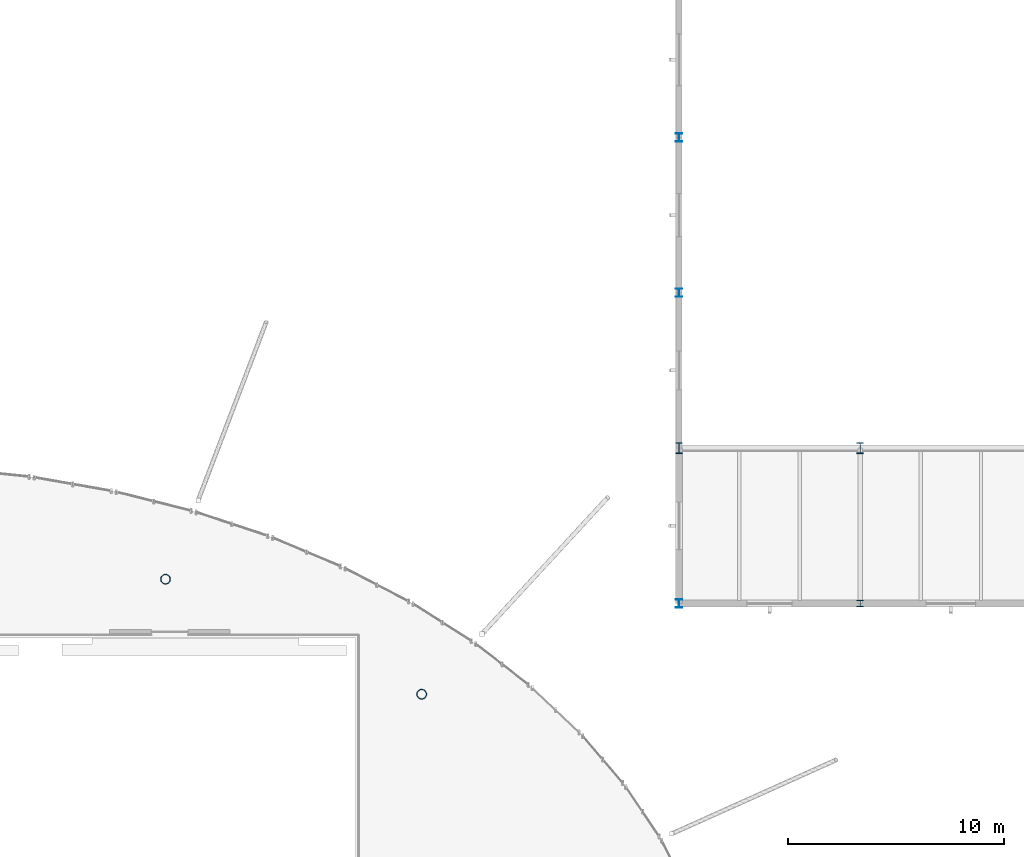
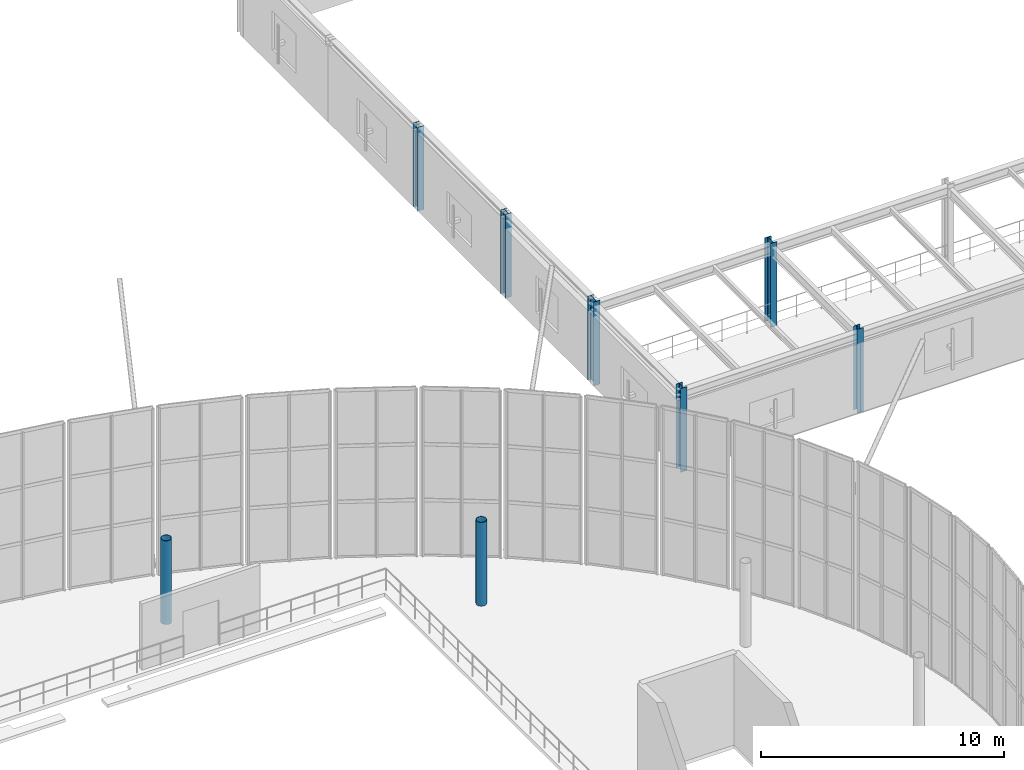
# One storey, part 12 of 109: 8 columns.
"""IFC4 building model written with IfcOpenShell, lengths in metres."""

from ifc_helpers import new_model, si_unit, derived_unit, direction, frame, origin, origin_2d, place, context, subcontext, project, spatial, hollow_circle, i_section, extrude, material, material_profile, profile_set, type_object, element, save


model = new_model("IFC4")

# Units and contexts
model_context = context("Model", 3, precision=1e-05, world=origin(), true_north=direction((0.0, 1.0)))
body_context = subcontext(model_context, "Body", "Model", "MODEL_VIEW")
ifc_project = project(units=[si_unit("LENGTHUNIT", "METRE"), si_unit("AREAUNIT", "SQUARE_METRE"), si_unit("VOLUMEUNIT", "CUBIC_METRE"), si_unit("PLANEANGLEUNIT", "RADIAN"), si_unit("MASSUNIT", "GRAM", prefix="KILO"), derived_unit("THERMALTRANSMITTANCEUNIT", [(si_unit("MASSUNIT", "GRAM", prefix="KILO"), 1), (si_unit("TIMEUNIT", "SECOND"), -3), (si_unit("THERMODYNAMICTEMPERATUREUNIT", "KELVIN"), -1)])], contexts=[model_context])

# Site, building, storey
site_placement = place(None, origin())
site = spatial("IfcSite", under=ifc_project, at=site_placement, CompositionType="ELEMENT")
building_placement = place(site_placement, origin())
building = spatial("IfcBuilding", under=site, at=building_placement, Name="Kharveza Railside Sports Centre", CompositionType="ELEMENT")
storey_placement = place(building_placement, frame((0.0, 0.0, 4.5)))
storey = spatial("IfcBuildingStorey", under=building, at=storey_placement, Name="L01", CompositionType="ELEMENT", Elevation=4.5)

# Columns
ifc_material = material(Name="Steel S355J2", Category="steel")
ifc_material_profile_1 = material_profile(ifc_material, i_section(OverallWidth=0.300048828125, OverallDepth=0.5, WebThickness=0.014404296875, FlangeThickness=0.028076171875, FilletRadius=0.027099609375, at=origin_2d()), Name="HEB 500")
ifc_profile_set_1 = profile_set([ifc_material_profile_1], Name="Steel S355J2")
column_type_1 = type_object("IfcColumnType", Name="COL-S03", PredefinedType="COLUMN", material=ifc_profile_set_1)
for number, where, z_axis, x_axis, name in (
    (1, (92.39990234375, 79.199951171875, 0.0), (0.0, 0.0, 1.0), (1.0, 0.0, 0.0), "COL-G-C03-X924-Y792-L01"),
    (2, (100.800048828125, 79.199951171875, 0.0), (0.0, 0.0, 1.0), (1.0, 0.0, 0.0), "COL-G-C03-X1008-Y792-L01"),
):
    element("IfcColumn", number, at=place(storey_placement, frame(where, z_axis=z_axis, x_axis=x_axis)), inside=storey, type_object=column_type_1, Name=name, PredefinedType="COLUMN", context=body_context, shape_type="SweptSolid", body=[
        extrude(i_section(OverallWidth=0.300048828125, OverallDepth=0.5, WebThickness=0.014404296875, FlangeThickness=0.028076171875, FilletRadius=0.027099609375, at=origin_2d()), origin(), (0.0, 0.0, 1.0), 4.199951171875),
    ])
ifc_material_profile_2 = material_profile(ifc_material, i_section(OverallWidth=0.300048828125, OverallDepth=0.300048828125, WebThickness=0.010986328125, FlangeThickness=0.01904296875, FilletRadius=0.027099609375, at=origin_2d()), Name="HEB 300")
ifc_profile_set_2 = profile_set([ifc_material_profile_2], Name="Steel S355J2")
column_type_2 = type_object("IfcColumnType", Name="COL-S07", PredefinedType="COLUMN", material=ifc_profile_set_2)
column_placement = place(storey_placement, frame((100.800048828125, 72.0, 0.0), z_axis=(0.0, 0.0, 1.0), x_axis=(1.0, 0.0, 0.0)))
element("IfcColumn", 3, at=column_placement, inside=storey, type_object=column_type_2, Name="COL-G-C07-X1008-Y720-L01", PredefinedType="COLUMN", context=body_context, shape_type="SweptSolid", body=[
    extrude(i_section(OverallWidth=0.300048828125, OverallDepth=0.300048828125, WebThickness=0.010986328125, FlangeThickness=0.01904296875, FilletRadius=0.027099609375, at=origin_2d()), origin(), (0.0, 0.0, 1.0), 4.199951171875),
])
ifc_material_profile_3 = material_profile(ifc_material, i_section(OverallWidth=0.300048828125, OverallDepth=0.389892578125, WebThickness=0.010986328125, FlangeThickness=0.01904296875, FilletRadius=0.027099609375, at=origin_2d()), Name="HEA 400")
ifc_profile_set_3 = profile_set([ifc_material_profile_3], Name="Steel S355J2")
column_type_3 = type_object("IfcColumnType", Name="COL-S10", PredefinedType="COLUMN", material=ifc_profile_set_3)
for number, where, z_axis, x_axis, name in (
    (4, (92.39990234375, 72.0, 0.0), (0.0, 0.0, 1.0), (1.0, 0.0, 0.0), "COL-G-C10-X924-Y720-L01"),
    (5, (92.39990234375, 86.39990234375, 0.0), (0.0, 0.0, 1.0), (1.0, 0.0, 0.0), "COL-G-C10-X924-Y864-L01"),
    (6, (92.39990234375, 93.60009765625, 0.0), (0.0, 0.0, 1.0), (1.0, 0.0, 0.0), "COL-G-C10-X924-Y936-L01"),
):
    element("IfcColumn", number, at=place(storey_placement, frame(where, z_axis=z_axis, x_axis=x_axis)), inside=storey, type_object=column_type_3, Name=name, PredefinedType="COLUMN", context=body_context, shape_type="SweptSolid", body=[
        extrude(i_section(OverallWidth=0.300048828125, OverallDepth=0.389892578125, WebThickness=0.010986328125, FlangeThickness=0.01904296875, FilletRadius=0.027099609375, at=origin_2d()), origin(), (0.0, 0.0, 1.0), 4.199951171875),
    ])
ifc_material_profile_4 = material_profile(ifc_material, hollow_circle(Radius=0.228515625, WallThickness=0.02001953125, at=origin_2d()), Name="CHS 457.0x20.0")
ifc_profile_set_4 = profile_set([ifc_material_profile_4], Name="Steel S355J2")
column_type_4 = type_object("IfcColumnType", Name="COL-T01", PredefinedType="COLUMN", material=ifc_profile_set_4)
for number, where, z_axis, x_axis, name in (
    (7, (80.47998046875, 67.794921875, 0.0), (0.0, 0.0, 1.0), (1.0, 0.0, 0.0), "COL-DRUM-03-L01"),
    (8, (68.606201171875, 73.12744140625, 0.0), (0.0, 0.0, 1.0), (1.0, 0.0, 0.0), "COL-DRUM-04-L01"),
):
    element("IfcColumn", number, at=place(storey_placement, frame(where, z_axis=z_axis, x_axis=x_axis)), inside=storey, type_object=column_type_4, Name=name, PredefinedType="COLUMN", context=body_context, shape_type="SweptSolid", body=[
        extrude(hollow_circle(Radius=0.228515625, WallThickness=0.02001953125, at=origin_2d()), origin(), (0.0, 0.0, 1.0), 4.199951171875),
    ])

save(model, "model.ifc")
